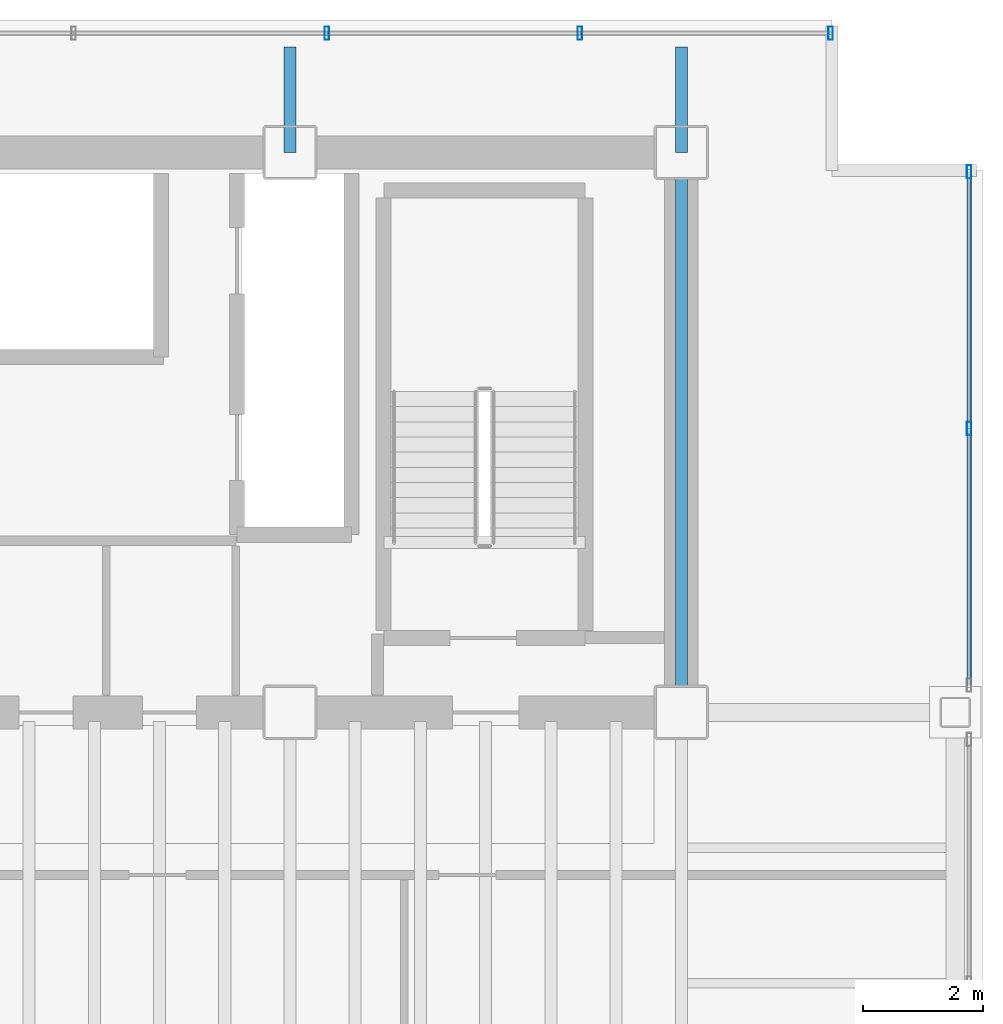
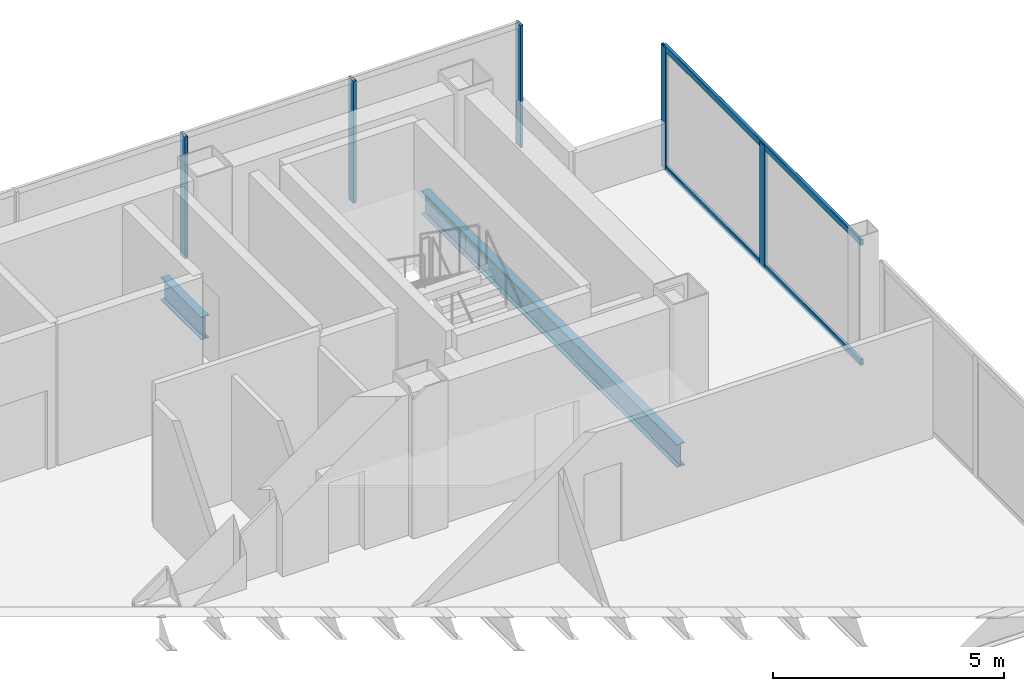
# One storey, part 16 of 20: 7 members, 3 beams, 2 elements without a shape of their own.
"""IFC4 building model written with IfcOpenShell, lengths in metres."""

from ifc_helpers import new_model, si_unit, direction, frame, origin, origin_2d, place, context, subcontext, project, spatial, hollow_rectangle, i_section, extrude, material, material_profile, profile_set, type_object, element, aggregate, save


model = new_model("IFC4")

# Units and contexts
model_context = context("Model", 3, precision=1e-05, world=origin(), true_north=direction((0.0, 1.0)))
body_context = subcontext(model_context, "Body", "Model", "MODEL_VIEW")
ifc_project = project(units=[si_unit("LENGTHUNIT", "METRE"), si_unit("AREAUNIT", "SQUARE_METRE"), si_unit("VOLUMEUNIT", "CUBIC_METRE"), si_unit("PLANEANGLEUNIT", "RADIAN"), si_unit("MASSUNIT", "GRAM", prefix="KILO")], contexts=[model_context])

# Site, building, storey
site_placement = place(None, origin())
site = spatial("IfcSite", under=ifc_project, at=site_placement, CompositionType="ELEMENT")
building_placement = place(site_placement, origin())
building = spatial("IfcBuilding", under=site, at=building_placement, Name="Noeulbin Bourse Tower", CompositionType="ELEMENT")
storey_placement = place(building_placement, frame((0.0, 0.0, 118.800048828125)))
storey = spatial("IfcBuildingStorey", under=building, at=storey_placement, Name="L29", CompositionType="ELEMENT", Elevation=118.800048828125)

# Beams
ifc_material_1 = material(Name="Steel S355", Category="steel")
ifc_material_profile_1 = material_profile(ifc_material_1, i_section(OverallWidth=0.199951171875, OverallDepth=0.60009765625, WebThickness=0.010986328125, FlangeThickness=0.01708984375, FilletRadius=0.02197265625, at=origin_2d()), Name="H-600x200x11x17", Category="LoadBearing")
ifc_profile_set_1 = profile_set([ifc_material_profile_1], Name="Steel S355")
beam_type = type_object("IfcBeamType", Name="BM-GRD-600", PredefinedType="USERDEFINED", material=ifc_profile_set_1)
beam_1_placement = place(storey_placement, frame((37.5, 38.300048828125, -0.47998046875), z_axis=(0.0, 1.0, 0.0), x_axis=(-1.0, 0.0, 0.0)))
element("IfcBeam", 1, at=beam_1_placement, inside=storey, type_object=beam_type, Name="Tower Primary Girder NS L29-4.4", ObjectType="GIRDER", PredefinedType="USERDEFINED", context=body_context, shape_type="SweptSolid", body=[
    extrude(i_section(OverallWidth=0.199951171875, OverallDepth=0.60009765625, WebThickness=0.010986328125, FlangeThickness=0.01708984375, FilletRadius=0.02197265625, at=origin_2d()), origin(), (0.0, 0.0, 1.0), 1.75),
])
beam_2_placement = place(storey_placement, frame((44.0, 29.0, -0.47998046875), z_axis=(0.0, 1.0, 0.0), x_axis=(-1.0, 0.0, 0.0)))
element("IfcBeam", 2, at=beam_2_placement, inside=storey, type_object=beam_type, Name="Tower Primary Girder NS L29-5.3", ObjectType="GIRDER", PredefinedType="USERDEFINED", context=body_context, shape_type="SweptSolid", body=[
    extrude(i_section(OverallWidth=0.199951171875, OverallDepth=0.60009765625, WebThickness=0.010986328125, FlangeThickness=0.01708984375, FilletRadius=0.02197265625, at=origin_2d()), origin(), (0.0, 0.0, 1.0), 9.300048828125),
])
beam_3_placement = place(storey_placement, frame((44.0, 38.300048828125, -0.47998046875), z_axis=(0.0, 1.0, 0.0), x_axis=(-1.0, 0.0, 0.0)))
element("IfcBeam", 3, at=beam_3_placement, inside=storey, type_object=beam_type, Name="Tower Primary Girder NS L29-5.4", ObjectType="GIRDER", PredefinedType="USERDEFINED", context=body_context, shape_type="SweptSolid", body=[
    extrude(i_section(OverallWidth=0.199951171875, OverallDepth=0.60009765625, WebThickness=0.010986328125, FlangeThickness=0.01708984375, FilletRadius=0.02197265625, at=origin_2d()), origin(), (0.0, 0.0, 1.0), 1.75),
])

# Curtain wall, members
ifc_material_2 = material(Name="Dark Tinted Triple Glazing", Category="glass")
curtain_wall_type = type_object("IfcCurtainWallType", Name="CW-SYS-3", PredefinedType="NOTDEFINED", material=ifc_material_2)
curtain_wall_1_placement = place(storey_placement, origin())
curtain_wall_1 = element("IfcCurtainWall", 4, at=curtain_wall_1_placement, inside=storey, type_object=curtain_wall_type, Name="Unitised Curtain Wall CW-L29-N", PredefinedType="NOTDEFINED")
ifc_material_3 = material(Name="Anodised Aluminium 6063-T6", Category="aluminium")
ifc_material_profile_2 = material_profile(ifc_material_3, hollow_rectangle(XDim=0.074951171875, YDim=0.219970703125, WallThickness=0.0048828125, InnerFilletRadius=0.00244140625, OuterFilletRadius=0.0048828125, at=origin_2d()), Name="ALU-MULL-75x220x5", Category="LoadBearing")
ifc_profile_set_2 = profile_set([ifc_material_profile_2], Name="Anodised Aluminium 6063-T6")
member_type_1 = type_object("IfcMemberType", Name="CW-SYS-3-MUL", PredefinedType="MULLION", material=ifc_profile_set_2)
member_1_placement = place(storey_placement, frame((38.112060546875, 40.280029296875, -0.02001953125), z_axis=(0.0, 0.0, 1.0), x_axis=(1.0, 0.0, 0.0)))
member_1 = element("IfcMember", 5, at=member_1_placement, type_object=member_type_1, Name="Curtain Wall Mullion CW-L29-N-M08", PredefinedType="MULLION", context=body_context, shape_type="SweptSolid", body=[
    extrude(hollow_rectangle(XDim=0.074951171875, YDim=0.219970703125, WallThickness=0.0048828125, InnerFilletRadius=0.00244140625, OuterFilletRadius=0.0048828125, at=origin_2d()), origin(), (0.0, 0.0, 1.0), 3.219970703125),
])
member_2_placement = place(storey_placement, frame((42.31591796875, 40.280029296875, -0.02001953125), z_axis=(0.0, 0.0, 1.0), x_axis=(1.0, 0.0, 0.0)))
member_2 = element("IfcMember", 6, at=member_2_placement, type_object=member_type_1, Name="Curtain Wall Mullion CW-L29-N-M09", PredefinedType="MULLION", context=body_context, shape_type="SweptSolid", body=[
    extrude(hollow_rectangle(XDim=0.074951171875, YDim=0.219970703125, WallThickness=0.0048828125, InnerFilletRadius=0.00244140625, OuterFilletRadius=0.0048828125, at=origin_2d()), origin(), (0.0, 0.0, 1.0), 3.219970703125),
])
member_3_placement = place(storey_placement, frame((46.47998046875, 40.280029296875, -0.02001953125), z_axis=(0.0, 0.0, 1.0), x_axis=(1.0, 0.0, 0.0)))
member_3 = element("IfcMember", 7, at=member_3_placement, type_object=member_type_1, Name="Curtain Wall Mullion CW-L29-N-M10", PredefinedType="MULLION", context=body_context, shape_type="SweptSolid", body=[
    extrude(hollow_rectangle(XDim=0.074951171875, YDim=0.219970703125, WallThickness=0.0048828125, InnerFilletRadius=0.00244140625, OuterFilletRadius=0.0048828125, at=origin_2d()), origin(), (0.0, 0.0, 1.0), 3.219970703125),
])
aggregate(curtain_wall_1, [member_1, member_2, member_3])

curtain_wall_2_placement = place(storey_placement, origin())
curtain_wall_2 = element("IfcCurtainWall", 8, at=curtain_wall_2_placement, inside=storey, type_object=curtain_wall_type, Name="Unitised Curtain Wall CW-L29-E-S3", PredefinedType="NOTDEFINED")
member_4_placement = place(storey_placement, frame((48.780029296875, 33.715087890625, -0.02001953125), z_axis=(0.0, 0.0, 1.0), x_axis=(1.0, 0.0, 0.0)))
member_4 = element("IfcMember", 9, at=member_4_placement, type_object=member_type_1, Name="Curtain Wall Mullion CW-L29-E-S3-M01", PredefinedType="MULLION", context=body_context, shape_type="SweptSolid", body=[
    extrude(hollow_rectangle(XDim=0.074951171875, YDim=0.219970703125, WallThickness=0.0048828125, InnerFilletRadius=0.00244140625, OuterFilletRadius=0.0048828125, at=origin_2d()), origin(), (0.0, 0.0, 1.0), 3.219970703125),
])
member_5_placement = place(storey_placement, frame((48.780029296875, 37.97998046875, -0.02001953125), z_axis=(0.0, 0.0, 1.0), x_axis=(1.0, 0.0, 0.0)))
member_5 = element("IfcMember", 10, at=member_5_placement, type_object=member_type_1, Name="Curtain Wall Mullion CW-L29-E-S3-M02", PredefinedType="MULLION", context=body_context, shape_type="SweptSolid", body=[
    extrude(hollow_rectangle(XDim=0.074951171875, YDim=0.219970703125, WallThickness=0.0048828125, InnerFilletRadius=0.00244140625, OuterFilletRadius=0.0048828125, at=origin_2d()), origin(), (0.0, 0.0, 1.0), 3.219970703125),
])
ifc_material_profile_3 = material_profile(ifc_material_3, hollow_rectangle(XDim=0.074951171875, YDim=0.159912109375, WallThickness=0.0048828125, InnerFilletRadius=0.00244140625, OuterFilletRadius=0.0048828125, at=origin_2d()), Name="ALU-TRAN-75x160x5", Category="LoadBearing")
ifc_profile_set_3 = profile_set([ifc_material_profile_3], Name="Anodised Aluminium 6063-T6")
member_type_2 = type_object("IfcMemberType", Name="CW-SYS-3-TRN", PredefinedType="USERDEFINED", material=ifc_profile_set_3)
member_6_placement = place(storey_placement, frame((48.780029296875, 29.4599609375, 0.010009765625), z_axis=(0.0, 1.0, 0.0), x_axis=(-1.0, 0.0, 0.0)))
member_6 = element("IfcMember", 11, at=member_6_placement, type_object=member_type_2, Name="Curtain Wall Transom CW-L29-E-S3-T00", ObjectType="TRANSOM", PredefinedType="USERDEFINED", context=body_context, shape_type="SweptSolid", body=[
    extrude(hollow_rectangle(XDim=0.074951171875, YDim=0.159912109375, WallThickness=0.0048828125, InnerFilletRadius=0.00244140625, OuterFilletRadius=0.0048828125, at=origin_2d()), origin(), (0.0, 0.0, 1.0), 8.510009765625),
])
member_7_placement = place(storey_placement, frame((48.780029296875, 29.4599609375, 3.169921875), z_axis=(0.0, 1.0, 0.0), x_axis=(-1.0, 0.0, 0.0)))
member_7 = element("IfcMember", 12, at=member_7_placement, type_object=member_type_2, Name="Curtain Wall Transom CW-L29-E-S3-T01", ObjectType="TRANSOM", PredefinedType="USERDEFINED", context=body_context, shape_type="SweptSolid", body=[
    extrude(hollow_rectangle(XDim=0.074951171875, YDim=0.159912109375, WallThickness=0.0048828125, InnerFilletRadius=0.00244140625, OuterFilletRadius=0.0048828125, at=origin_2d()), origin(), (0.0, 0.0, 1.0), 8.510009765625),
])
aggregate(curtain_wall_2, [member_4, member_5, member_6, member_7])

save(model, "model.ifc")
